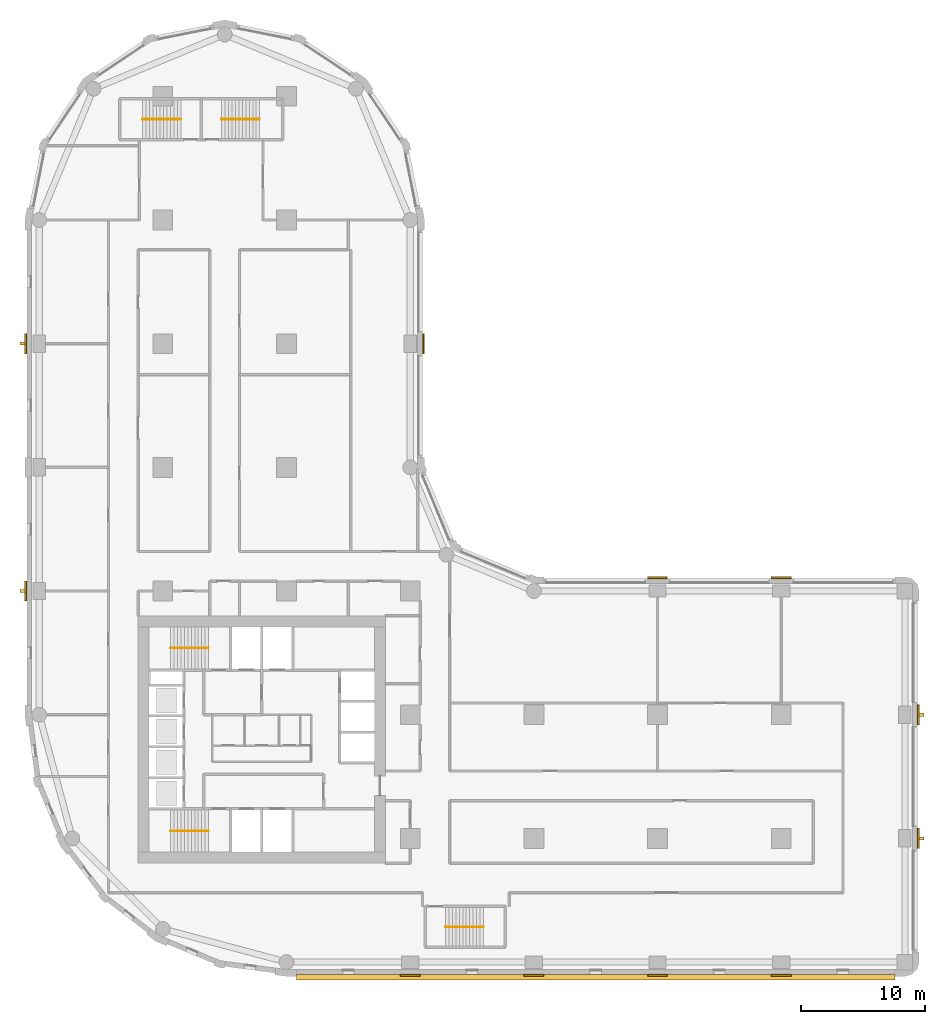
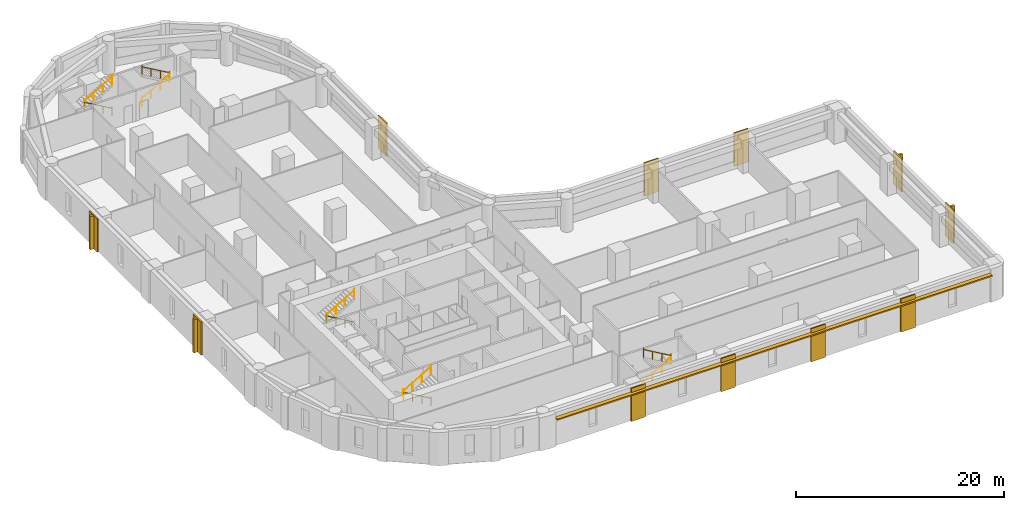
# One storey, part 9 of 10: 11 coverings, 10 railings, 5 shading devices.
"""IFC4 building model written with IfcOpenShell, lengths in metres."""

import ifcopenshell
import ifcopenshell.guid

model = None  # the IFC model being written
_history = None  # IfcOwnerHistory: only IFC2X3 demands one
_inside = {}  # id of a spatial element -> (the spatial element, [elements in it])
_under = {}  # id of a project, library or spatial element -> (it, [spatial elements below it])
_declared = {}  # id of a project -> (the project, [libraries it declares])
_typed = {}  # id of a type object -> (the type object, [elements of that type])
_made_of = {}  # id of a material, layer set ... -> (it, [elements and type objects made of it])


def new_model(schema):
    """Start an empty IFC model of exactly this schema.

    Asked for "IFC4X3", IfcOpenShell would pick the latest addendum, in which some entities
    have other attributes; the version numbers below select the first issue.
    IFC2X3 requires an IfcOwnerHistory on every rooted entity: one is made here for all.
    """
    global model, _history
    if schema == "IFC4X3":
        model = ifcopenshell.file(schema_version=(4, 3, 0, 0))
    else:
        model = ifcopenshell.file(schema=schema)
    _inside.clear()
    _under.clear()
    _declared.clear()
    _typed.clear()
    _made_of.clear()
    _history = None
    if model.schema == "IFC2X3":
        org = make("IfcOrganization", Name="unknown")
        user = make(
            "IfcPersonAndOrganization",
            ThePerson=make("IfcPerson", FamilyName="unknown"),
            TheOrganization=org,
        )
        app = make(
            "IfcApplication",
            ApplicationDeveloper=org,
            Version="unknown",
            ApplicationFullName="unknown",
            ApplicationIdentifier="unknown",
        )
        _history = make(
            "IfcOwnerHistory",
            OwningUser=user,
            OwningApplication=app,
            ChangeAction="ADDED",
            CreationDate=0,
        )
    return model


def make(cls, **values):
    """One entity of the class cls with the attributes given. An attribute that is None is left unset."""
    return model.create_entity(
        cls, **{name: value for name, value in values.items() if value is not None}
    )


def rooted(cls, **values):
    """An entity with a GlobalId (a new one), such as an element, a storey or a relation."""
    return make(cls, GlobalId=ifcopenshell.guid.new(), OwnerHistory=_history, **values)


def si_unit(unit_type, name, prefix=None):
    """IfcSIUnit, for example si_unit("LENGTHUNIT", "METRE", prefix="MILLI")."""
    return make("IfcSIUnit", UnitType=unit_type, Prefix=prefix, Name=name)


def assignment(units):
    """IfcUnitAssignment: the units of a project."""
    return None if units is None else make("IfcUnitAssignment", Units=units)


def point(xyz):
    """IfcCartesianPoint."""
    return None if xyz is None else make("IfcCartesianPoint", Coordinates=xyz)


def direction(xyz):
    """IfcDirection."""
    return None if xyz is None else make("IfcDirection", DirectionRatios=xyz)


def frame(location, z_axis=None, x_axis=None):
    """IfcAxis2Placement3D, a coordinate frame: its origin and axes. An axis left out is left unset."""
    return make(
        "IfcAxis2Placement3D",
        Location=point(location),
        Axis=direction(z_axis),
        RefDirection=direction(x_axis),
    )


def frame_2d(location, x_axis=None):
    """IfcAxis2Placement2D, a coordinate frame in the plane: its origin and x axis."""
    return make(
        "IfcAxis2Placement2D", Location=point(location), RefDirection=direction(x_axis)
    )


def origin():
    """The frame at (0, 0, 0) with its axes left unset."""
    return frame((0.0, 0.0, 0.0))


def origin_2d():
    """The frame at (0, 0) in the plane with its x axis left unset."""
    return frame_2d((0.0, 0.0))


def place(relative_to, where):
    """IfcLocalPlacement: puts the frame where relative to a parent placement (None: the world)."""
    return make(
        "IfcLocalPlacement", PlacementRelTo=relative_to, RelativePlacement=where
    )


def context(
    kind, dimensions, precision=None, world=None, true_north=None, identifier=None
):
    """IfcGeometricRepresentationContext, for example the 3D "Model" context."""
    return make(
        "IfcGeometricRepresentationContext",
        ContextIdentifier=identifier,
        ContextType=kind,
        CoordinateSpaceDimension=dimensions,
        Precision=precision,
        WorldCoordinateSystem=world,
        TrueNorth=true_north,
    )


def subcontext(parent, identifier, kind, view, scale=None):
    """IfcGeometricRepresentationSubContext, for example "Body" below "Model"."""
    return make(
        "IfcGeometricRepresentationSubContext",
        ContextIdentifier=identifier,
        ContextType=kind,
        ParentContext=parent,
        TargetScale=scale,
        TargetView=view,
    )


def project(units=None, contexts=None):
    """IfcProject with its units and contexts."""
    return rooted(
        "IfcProject",
        Name="project",
        RepresentationContexts=contexts,
        UnitsInContext=assignment(units),
    )


def spatial(cls, under=None, at=None, **own):
    """A site, building, storey or space (cls), placed at a placement, below another one or the project."""
    s = rooted(cls, ObjectPlacement=at, **own)
    if under is not None:
        _under.setdefault(under.id(), (under, []))[1].append(s)
    return s


def polyline(points):
    """IfcPolyline through the points."""
    return make("IfcPolyline", Points=[point(p) for p in points])


def profile(cls, at=None, kind="AREA", **sizes):
    """A parametric profile (cls). Its sizes go by their IFC names, for example OverallWidth=200.0."""
    return make(cls, ProfileType=kind, Position=at, **sizes)


def rectangle(**sizes):
    """IfcRectangleProfileDef."""
    return profile("IfcRectangleProfileDef", **sizes)


def circle(**sizes):
    """IfcCircleProfileDef."""
    return profile("IfcCircleProfileDef", **sizes)


def outline(outer, holes=None, kind="AREA"):
    """IfcArbitraryClosedProfileDef: a profile drawn as a closed curve; with holes, ...WithVoids."""
    if holes is None:
        return make("IfcArbitraryClosedProfileDef", ProfileType=kind, OuterCurve=outer)
    return make(
        "IfcArbitraryProfileDefWithVoids",
        ProfileType=kind,
        OuterCurve=outer,
        InnerCurves=holes,
    )


def extrude(swept, where, along, depth):
    """IfcExtrudedAreaSolid: the profile swept, set in the frame where, extruded along a direction by depth."""
    return make(
        "IfcExtrudedAreaSolid",
        SweptArea=swept,
        Position=where,
        ExtrudedDirection=direction(along),
        Depth=depth,
    )


def shape(context_of_items, identifier, shape_type, items):
    """IfcShapeRepresentation: the items that make up one representation, for example the "Body"."""
    return make(
        "IfcShapeRepresentation",
        ContextOfItems=context_of_items,
        RepresentationIdentifier=identifier,
        RepresentationType=shape_type,
        Items=items,
    )


def material(Name=None, Category=None):
    """IfcMaterial."""
    return make("IfcMaterial", Name=Name, Category=Category)


def layer(
    of_material, thickness, ventilated=None, Name=None, Category=None, Priority=None
):
    """IfcMaterialLayer: one layer of a wall or slab, of a material (None: an air gap)."""
    return make(
        "IfcMaterialLayer",
        Material=of_material,
        LayerThickness=thickness,
        IsVentilated=ventilated,
        Name=Name,
        Category=Category,
        Priority=Priority,
    )


def layer_set(layers, Name=None):
    """IfcMaterialLayerSet."""
    return make("IfcMaterialLayerSet", MaterialLayers=layers, LayerSetName=Name)


def made_of(thing, what):
    """Note that an element or type object is made of a material, layer set ...; save() writes the relation."""
    if what is not None:
        _made_of.setdefault(what.id(), (what, []))[1].append(thing)
    return thing


def type_object(cls, material=None, **own):
    """A type object (cls), such as IfcWallType, which elements share."""
    return made_of(rooted(cls, **own), material)


def element(
    cls,
    number,
    at=None,
    inside=None,
    cuts=None,
    type_object=None,
    material=None,
    context=None,
    identifier="Body",
    shape_type=None,
    held_by="IfcProductDefinitionShape",
    body=None,
    shapes=None,
    **own,
):
    """One element of the class cls, such as IfcWall. Its Tag is "e" and its number.

    at: its placement. inside: the storey or other place that contains it. cuts: it is an
    opening in that element (IfcRelVoidsElement). A single representation is given by context,
    identifier, shape_type and body (its items); several are given by shapes. held_by: the class
    of the entity that holds the representations. save() writes the other relations.
    """
    e = rooted(cls, Tag="e%d" % number, ObjectPlacement=at, **own)
    if body is not None:
        shapes = [shape(context, identifier, shape_type, body)]
    if shapes is not None:
        e.Representation = make(held_by, Representations=shapes)
    if inside is not None:
        _inside.setdefault(inside.id(), (inside, []))[1].append(e)
    if cuts is not None:
        rooted(
            "IfcRelVoidsElement", RelatingBuildingElement=cuts, RelatedOpeningElement=e
        )
    if type_object is not None:
        _typed.setdefault(type_object.id(), (type_object, []))[1].append(e)
    return made_of(e, material)


def aggregate(whole, parts):
    """IfcRelAggregates: a whole, such as a stair, and the parts it consists of."""
    return rooted("IfcRelAggregates", RelatingObject=whole, RelatedObjects=parts)


def save(model, path):
    """Write the relations noted so far, then the file.

    IfcRelAggregates (storeys below a building ...), IfcRelContainedInSpatialStructure (elements
    in a storey), IfcRelDefinesByType, IfcRelAssociatesMaterial and IfcRelDeclares: one each for
    every whole, place, type object, material and project.
    """
    for whole, parts in _under.values():
        aggregate(whole, parts)
    for where, things in _inside.values():
        rooted(
            "IfcRelContainedInSpatialStructure",
            RelatedElements=things,
            RelatingStructure=where,
        )
    for kind, things in _typed.values():
        rooted("IfcRelDefinesByType", RelatedObjects=things, RelatingType=kind)
    for what, things in _made_of.values():
        rooted("IfcRelAssociatesMaterial", RelatedObjects=things, RelatingMaterial=what)
    for by, libraries in _declared.values():
        rooted("IfcRelDeclares", RelatingContext=by, RelatedDefinitions=libraries)
    model.write(path)


model = new_model("IFC4")

# Units and contexts
model_context = context("Model", 3, precision=1e-05, world=origin(), true_north=direction((0.0, 1.0)))
body_context = subcontext(model_context, "Body", "Model", "MODEL_VIEW")
ifc_project = project(units=[si_unit("LENGTHUNIT", "METRE"), si_unit("AREAUNIT", "SQUARE_METRE"), si_unit("VOLUMEUNIT", "CUBIC_METRE"), si_unit("PLANEANGLEUNIT", "RADIAN"), si_unit("MASSUNIT", "GRAM", prefix="KILO")], contexts=[model_context])

# Site, building, storey
site_placement = place(None, origin())
site = spatial("IfcSite", under=ifc_project, at=site_placement, CompositionType="ELEMENT")
building_placement = place(site_placement, origin())
building = spatial("IfcBuilding", under=site, at=building_placement, Name="Qaws Garden Tower", CompositionType="ELEMENT")
storey_placement = place(building_placement, frame((0.0, 0.0, 12.0)))
storey = spatial("IfcBuildingStorey", under=building, at=storey_placement, Name="L02", CompositionType="ELEMENT", Elevation=12.0)

# Coverings
ifc_material_1 = material(Name="Clay facing brick masonry", Category="masonry")
ifc_layer_1 = layer(ifc_material_1, 0.14990234375)
ifc_layer_set_1 = layer_set([ifc_layer_1], Name="Clay facing brick masonry")
covering_type = type_object("IfcCoveringType", Name="Brick pilaster facing 150 x 1600", PredefinedType="CLADDING", material=ifc_layer_set_1)
placement = place(storey_placement, origin())
element("IfcCovering", 1, at=placement, inside=storey, type_object=covering_type, Name="E-L02-pier-01", PredefinedType="CLADDING", context=body_context, shape_type="SweptSolid", body=[
    extrude(outline(polyline([(29.199951171875, -1.0), (30.800048828125, -1.0), (30.800048828125, -1.14990234375), (29.199951171875, -1.14990234375), (29.199951171875, -1.0)])), origin(), (0.0, 0.0, 1.0), 3.89990234375),
])
element("IfcCovering", 2, at=placement, inside=storey, type_object=covering_type, Name="E-L02-pier-02", PredefinedType="CLADDING", context=body_context, shape_type="SweptSolid", body=[
    extrude(outline(polyline([(39.199951171875, -1.0), (40.800048828125, -1.0), (40.800048828125, -1.14990234375), (39.199951171875, -1.14990234375), (39.199951171875, -1.0)])), origin(), (0.0, 0.0, 1.0), 3.89990234375),
])
element("IfcCovering", 3, at=placement, inside=storey, type_object=covering_type, Name="E-L02-pier-03", PredefinedType="CLADDING", context=body_context, shape_type="SweptSolid", body=[
    extrude(outline(polyline([(49.199951171875, -1.0), (50.800048828125, -1.0), (50.800048828125, -1.14990234375), (49.199951171875, -1.14990234375), (49.199951171875, -1.0)])), origin(), (0.0, 0.0, 1.0), 3.89990234375),
])
element("IfcCovering", 4, at=placement, inside=storey, type_object=covering_type, Name="E-L02-pier-04", PredefinedType="CLADDING", context=body_context, shape_type="SweptSolid", body=[
    extrude(outline(polyline([(59.199951171875, -1.0), (60.800048828125, -1.0), (60.800048828125, -1.14990234375), (59.199951171875, -1.14990234375), (59.199951171875, -1.0)])), origin(), (0.0, 0.0, 1.0), 3.89990234375),
])
element("IfcCovering", 5, at=placement, inside=storey, type_object=covering_type, Name="E-L02-pier-06", PredefinedType="CLADDING", context=body_context, shape_type="SweptSolid", body=[
    extrude(outline(polyline([(71.0, 9.199951171875), (71.0, 10.800048828125), (71.14990234375, 10.800048828125), (71.14990234375, 9.199951171875), (71.0, 9.199951171875)])), origin(), (0.0, 0.0, 1.0), 3.89990234375),
])
element("IfcCovering", 6, at=placement, inside=storey, type_object=covering_type, Name="E-L02-pier-07", PredefinedType="CLADDING", context=body_context, shape_type="SweptSolid", body=[
    extrude(outline(polyline([(71.0, 19.199951171875), (71.0, 20.800048828125), (71.14990234375, 20.800048828125), (71.14990234375, 19.199951171875), (71.0, 19.199951171875)])), origin(), (0.0, 0.0, 1.0), 3.89990234375),
])
element("IfcCovering", 7, at=placement, inside=storey, type_object=covering_type, Name="E-L02-pier-09", PredefinedType="CLADDING", context=body_context, shape_type="SweptSolid", body=[
    extrude(outline(polyline([(60.800048828125, 31.0), (59.199951171875, 31.0), (59.199951171875, 31.14990234375), (60.800048828125, 31.14990234375), (60.800048828125, 31.0)])), origin(), (0.0, 0.0, 1.0), 3.89990234375),
])
element("IfcCovering", 8, at=placement, inside=storey, type_object=covering_type, Name="E-L02-pier-10", PredefinedType="CLADDING", context=body_context, shape_type="SweptSolid", body=[
    extrude(outline(polyline([(50.800048828125, 31.0), (49.199951171875, 31.0), (49.199951171875, 31.14990234375), (50.800048828125, 31.14990234375), (50.800048828125, 31.0)])), origin(), (0.0, 0.0, 1.0), 3.89990234375),
])
element("IfcCovering", 9, at=placement, inside=storey, type_object=covering_type, Name="E-L02-pier-14", PredefinedType="CLADDING", context=body_context, shape_type="SweptSolid", body=[
    extrude(outline(polyline([(31.0, 49.199951171875), (31.0, 50.800048828125), (31.14990234375, 50.800048828125), (31.14990234375, 49.199951171875), (31.0, 49.199951171875)])), origin(), (0.0, 0.0, 1.0), 3.89990234375),
])
element("IfcCovering", 10, at=placement, inside=storey, type_object=covering_type, Name="E-L02-pier-24", PredefinedType="CLADDING", context=body_context, shape_type="SweptSolid", body=[
    extrude(outline(polyline([(-1.0, 50.800048828125), (-1.0, 49.199951171875), (-1.14990234375, 49.199951171875), (-1.14990234375, 50.800048828125), (-1.0, 50.800048828125)])), origin(), (0.0, 0.0, 1.0), 3.89990234375),
])
element("IfcCovering", 11, at=placement, inside=storey, type_object=covering_type, Name="E-L02-pier-26", PredefinedType="CLADDING", context=body_context, shape_type="SweptSolid", body=[
    extrude(outline(polyline([(-1.0, 30.800048828125), (-1.0, 29.199951171875), (-1.14990234375, 29.199951171875), (-1.14990234375, 30.800048828125), (-1.0, 30.800048828125)])), origin(), (0.0, 0.0, 1.0), 3.89990234375),
])

# Shading devices
ifc_material_2 = material(Name="Clay facing brick masonry", Category="masonry")
ifc_layer_2 = layer(ifc_material_2, 0.14990234375)
ifc_layer_set_2 = layer_set([ifc_layer_2], Name="Clay facing brick masonry")
shading_device_type_1 = type_object("IfcShadingDeviceType", Name="Brick sunshade band 450 x 150", PredefinedType="JALOUSIE", material=ifc_layer_set_2)
shading_device_placement = place(storey_placement, frame((0.0, 0.0, 3.25)))
element("IfcShadingDevice", 12, at=shading_device_placement, inside=storey, type_object=shading_device_type_1, Name="SUNSHADE 00", PredefinedType="JALOUSIE", context=body_context, shape_type="SweptSolid", body=[
    extrude(outline(polyline([(20.800048828125, -1.0), (20.800048828125, -1.449951171875), (69.199951171875, -1.449951171875), (69.199951171875, -1.0), (60.800048828125, -1.0), (60.800048828125, -1.14990234375), (59.199951171875, -1.14990234375), (59.199951171875, -1.0), (50.800048828125, -1.0), (50.800048828125, -1.14990234375), (49.199951171875, -1.14990234375), (49.199951171875, -1.0), (40.800048828125, -1.0), (40.800048828125, -1.14990234375), (39.199951171875, -1.14990234375), (39.199951171875, -1.0), (30.800048828125, -1.0), (30.800048828125, -1.14990234375), (29.199951171875, -1.14990234375), (29.199951171875, -1.0), (20.800048828125, -1.0)])), origin(), (0.0, 0.0, 1.0), 0.14990234375),
])
ifc_material_3 = material(Name="Clay facing brick masonry", Category="masonry")
ifc_layer_3 = layer(ifc_material_3, 0.25)
ifc_layer_set_3 = layer_set([ifc_layer_3], Name="Clay facing brick masonry")
shading_device_type_2 = type_object("IfcShadingDeviceType", Name="Brick-faced fin 250 x 400", PredefinedType="USERDEFINED", material=ifc_layer_set_3)
for number, where, z_axis, x_axis, name in (
    (13, (71.35009765625, 10.0, 0.0), (0.0, 0.0, 1.0), (0.0, 1.0, 0.0), "FIN 06"),
    (14, (71.35009765625, 20.0, 0.0), (0.0, 0.0, 1.0), (0.0, 1.0, 0.0), "FIN 07"),
    (15, (-1.35009765625, 50.0, 0.0), (0.0, 0.0, 1.0), (0.0, -1.0, 0.0), "FIN 24"),
    (16, (-1.35009765625, 30.0, 0.0), (0.0, 0.0, 1.0), (0.0, -1.0, 0.0), "FIN 26"),
):
    element("IfcShadingDevice", number, at=place(storey_placement, frame(where, z_axis=z_axis, x_axis=x_axis)), inside=storey, type_object=shading_device_type_2, Name=name, ObjectType="FIN", PredefinedType="USERDEFINED", context=body_context, shape_type="SweptSolid", body=[
        extrude(rectangle(XDim=0.25, YDim=0.39990234375, at=origin_2d()), origin(), (0.0, 0.0, 1.0), 3.89990234375),
    ])

# Railings
ifc_material_4 = material(Name="Steel S355", Category="steel")
railing_type = type_object("IfcRailingType", Name="Stair handrail 900", PredefinedType="HANDRAIL", material=ifc_material_4)
railing_1_placement = place(storey_placement, frame((13.699951171875, 10.60009765625, 0.16259765625)))
element("IfcRailing", 17, at=railing_1_placement, inside=storey, type_object=railing_type, Name="Stair 1 handrail", PredefinedType="HANDRAIL", context=body_context, shape_type="SweptSolid", body=[
    extrude(circle(Radius=0.02392578125, at=origin_2d()), frame((0.0, 0.0, 0.8759765625), z_axis=(-0.864903211148, 0.0, 0.501938676878), x_axis=(0.0, -1.0, 0.0)), (0.0, 0.0, 1.0), 3.560791015625),
    extrude(circle(Radius=0.02099609375, at=origin_2d()), origin(), (0.0, 0.0, 1.0), 1.06201171875),
    extrude(circle(Radius=0.02099609375, at=origin_2d()), frame((-1.026611328125, 0.0, 0.595703125)), (0.0, 0.0, 1.0), 0.851806640625),
    extrude(circle(Radius=0.02099609375, at=origin_2d()), frame((-2.05322265625, 0.0, 1.191650390625)), (0.0, 0.0, 1.0), 0.851806640625),
    extrude(circle(Radius=0.02099609375, at=origin_2d()), frame((-3.079833984375, 0.0, 1.787353515625)), (0.0, 0.0, 1.0), 1.06201171875),
])
railing_2_placement = place(storey_placement, frame((10.6201171875, 10.60009765625, 2.112548828125)))
element("IfcRailing", 18, at=railing_2_placement, inside=storey, type_object=railing_type, Name="Stair 1 handrail", PredefinedType="HANDRAIL", context=body_context, shape_type="SweptSolid", body=[
    extrude(circle(Radius=0.02392578125, at=origin_2d()), frame((0.0, 0.0, 0.8759765625), z_axis=(0.864903211148, 0.0, 0.501938676878), x_axis=(0.0, 1.0, 0.0)), (0.0, 0.0, 1.0), 3.560791015625),
    extrude(circle(Radius=0.02099609375, at=origin_2d()), origin(), (0.0, 0.0, 1.0), 1.06201171875),
    extrude(circle(Radius=0.02099609375, at=origin_2d()), frame((1.026611328125, 0.0, 0.595703125)), (0.0, 0.0, 1.0), 0.851806640625),
    extrude(circle(Radius=0.02099609375, at=origin_2d()), frame((2.05322265625, 0.0, 1.191650390625)), (0.0, 0.0, 1.0), 0.851806640625),
    extrude(circle(Radius=0.02099609375, at=origin_2d()), frame((3.079833984375, 0.0, 1.787353515625)), (0.0, 0.0, 1.0), 1.06201171875),
])
railing_3_placement = place(storey_placement, frame((13.699951171875, 25.39990234375, 0.16259765625)))
element("IfcRailing", 19, at=railing_3_placement, inside=storey, type_object=railing_type, Name="Stair 4 handrail", PredefinedType="HANDRAIL", context=body_context, shape_type="SweptSolid", body=[
    extrude(circle(Radius=0.02392578125, at=origin_2d()), frame((0.0, 0.0, 0.8759765625), z_axis=(-0.864903211148, 0.0, 0.501938676878), x_axis=(0.0, -1.0, 0.0)), (0.0, 0.0, 1.0), 3.560791015625),
    extrude(circle(Radius=0.02099609375, at=origin_2d()), origin(), (0.0, 0.0, 1.0), 1.06201171875),
    extrude(circle(Radius=0.02099609375, at=origin_2d()), frame((-1.026611328125, 0.0, 0.595703125)), (0.0, 0.0, 1.0), 0.851806640625),
    extrude(circle(Radius=0.02099609375, at=origin_2d()), frame((-2.05322265625, 0.0, 1.191650390625)), (0.0, 0.0, 1.0), 0.851806640625),
    extrude(circle(Radius=0.02099609375, at=origin_2d()), frame((-3.079833984375, 0.0, 1.787353515625)), (0.0, 0.0, 1.0), 1.06201171875),
])
for number, where, name in (
    (20, (10.6201171875, 25.39990234375, 2.112548828125), "Stair 4 handrail"),
    (21, (32.85009765625, 2.85009765625, 0.16259765625), "Stair 5 handrail"),
):
    element("IfcRailing", number, at=place(storey_placement, frame(where)), inside=storey, type_object=railing_type, Name=name, PredefinedType="HANDRAIL", context=body_context, shape_type="SweptSolid", body=[
        extrude(circle(Radius=0.02392578125, at=origin_2d()), frame((0.0, 0.0, 0.8759765625), z_axis=(0.864903211148, 0.0, 0.501938676878), x_axis=(0.0, 1.0, 0.0)), (0.0, 0.0, 1.0), 3.560791015625),
        extrude(circle(Radius=0.02099609375, at=origin_2d()), origin(), (0.0, 0.0, 1.0), 1.06201171875),
        extrude(circle(Radius=0.02099609375, at=origin_2d()), frame((1.026611328125, 0.0, 0.595703125)), (0.0, 0.0, 1.0), 0.851806640625),
        extrude(circle(Radius=0.02099609375, at=origin_2d()), frame((2.05322265625, 0.0, 1.191650390625)), (0.0, 0.0, 1.0), 0.851806640625),
        extrude(circle(Radius=0.02099609375, at=origin_2d()), frame((3.079833984375, 0.0, 1.787353515625)), (0.0, 0.0, 1.0), 1.06201171875),
    ])
for number, where, name in (
    (22, (35.929931640625, 2.85009765625, 2.112548828125), "Stair 5 handrail"),
    (23, (11.449951171875, 68.14990234375, 0.16259765625), "Stair 6 handrail"),
):
    element("IfcRailing", number, at=place(storey_placement, frame(where)), inside=storey, type_object=railing_type, Name=name, PredefinedType="HANDRAIL", context=body_context, shape_type="SweptSolid", body=[
        extrude(circle(Radius=0.02392578125, at=origin_2d()), frame((0.0, 0.0, 0.8759765625), z_axis=(-0.864903211148, 0.0, 0.501938676878), x_axis=(0.0, -1.0, 0.0)), (0.0, 0.0, 1.0), 3.560791015625),
        extrude(circle(Radius=0.02099609375, at=origin_2d()), origin(), (0.0, 0.0, 1.0), 1.06201171875),
        extrude(circle(Radius=0.02099609375, at=origin_2d()), frame((-1.026611328125, 0.0, 0.595703125)), (0.0, 0.0, 1.0), 0.851806640625),
        extrude(circle(Radius=0.02099609375, at=origin_2d()), frame((-2.05322265625, 0.0, 1.191650390625)), (0.0, 0.0, 1.0), 0.851806640625),
        extrude(circle(Radius=0.02099609375, at=origin_2d()), frame((-3.079833984375, 0.0, 1.787353515625)), (0.0, 0.0, 1.0), 1.06201171875),
    ])
railing_4_placement = place(storey_placement, frame((8.3701171875, 68.14990234375, 2.112548828125)))
element("IfcRailing", 24, at=railing_4_placement, inside=storey, type_object=railing_type, Name="Stair 6 handrail", PredefinedType="HANDRAIL", context=body_context, shape_type="SweptSolid", body=[
    extrude(circle(Radius=0.02392578125, at=origin_2d()), frame((0.0, 0.0, 0.8759765625), z_axis=(0.864903211148, 0.0, 0.501938676878), x_axis=(0.0, 1.0, 0.0)), (0.0, 0.0, 1.0), 3.560791015625),
    extrude(circle(Radius=0.02099609375, at=origin_2d()), origin(), (0.0, 0.0, 1.0), 1.06201171875),
    extrude(circle(Radius=0.02099609375, at=origin_2d()), frame((1.026611328125, 0.0, 0.595703125)), (0.0, 0.0, 1.0), 0.851806640625),
    extrude(circle(Radius=0.02099609375, at=origin_2d()), frame((2.05322265625, 0.0, 1.191650390625)), (0.0, 0.0, 1.0), 0.851806640625),
    extrude(circle(Radius=0.02099609375, at=origin_2d()), frame((3.079833984375, 0.0, 1.787353515625)), (0.0, 0.0, 1.0), 1.06201171875),
])
railing_5_placement = place(storey_placement, frame((14.75, 68.14990234375, 0.16259765625)))
element("IfcRailing", 25, at=railing_5_placement, inside=storey, type_object=railing_type, Name="Stair 7 handrail", PredefinedType="HANDRAIL", context=body_context, shape_type="SweptSolid", body=[
    extrude(circle(Radius=0.02392578125, at=origin_2d()), frame((0.0, 0.0, 0.8759765625), z_axis=(0.864920483161, 0.0, 0.501908913857), x_axis=(0.0, 1.0, 0.0)), (0.0, 0.0, 1.0), 3.56103515625),
    extrude(circle(Radius=0.02099609375, at=origin_2d()), origin(), (0.0, 0.0, 1.0), 1.06201171875),
    extrude(circle(Radius=0.02099609375, at=origin_2d()), frame((1.026611328125, 0.0, 0.595703125)), (0.0, 0.0, 1.0), 0.851806640625),
    extrude(circle(Radius=0.02099609375, at=origin_2d()), frame((2.053466796875, 0.0, 1.191650390625)), (0.0, 0.0, 1.0), 0.851806640625),
    extrude(circle(Radius=0.02099609375, at=origin_2d()), frame((3.080078125, 0.0, 1.787353515625)), (0.0, 0.0, 1.0), 1.06201171875),
])
railing_6_placement = place(storey_placement, frame((17.830078125, 68.14990234375, 2.112548828125)))
element("IfcRailing", 26, at=railing_6_placement, inside=storey, type_object=railing_type, Name="Stair 7 handrail", PredefinedType="HANDRAIL", context=body_context, shape_type="SweptSolid", body=[
    extrude(circle(Radius=0.02392578125, at=origin_2d()), frame((0.0, 0.0, 0.8759765625), z_axis=(-0.864920483161, 0.0, 0.501908913857), x_axis=(0.0, -1.0, 0.0)), (0.0, 0.0, 1.0), 3.56103515625),
    extrude(circle(Radius=0.02099609375, at=origin_2d()), origin(), (0.0, 0.0, 1.0), 1.06201171875),
    extrude(circle(Radius=0.02099609375, at=origin_2d()), frame((-1.026611328125, 0.0, 0.595703125)), (0.0, 0.0, 1.0), 0.851806640625),
    extrude(circle(Radius=0.02099609375, at=origin_2d()), frame((-2.053466796875, 0.0, 1.191650390625)), (0.0, 0.0, 1.0), 0.851806640625),
    extrude(circle(Radius=0.02099609375, at=origin_2d()), frame((-3.080078125, 0.0, 1.787353515625)), (0.0, 0.0, 1.0), 1.06201171875),
])

save(model, "model.ifc")
